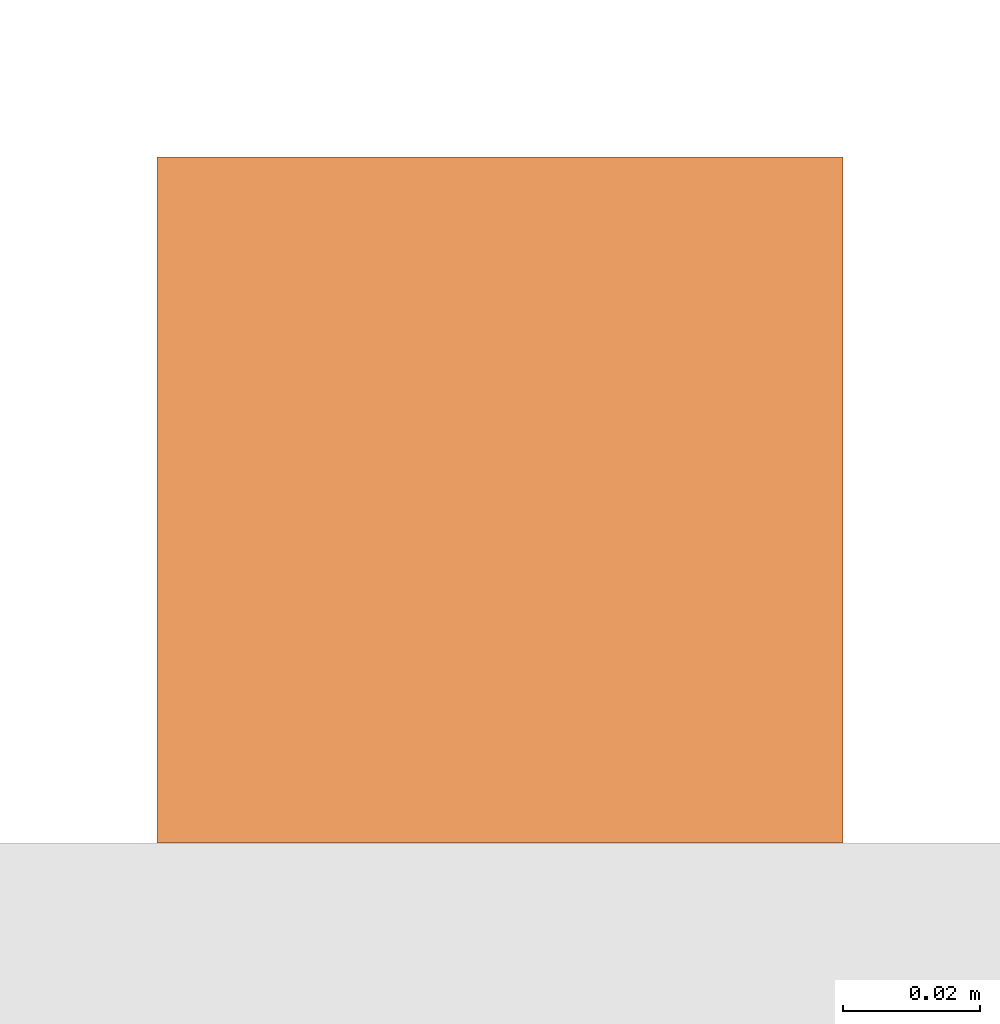
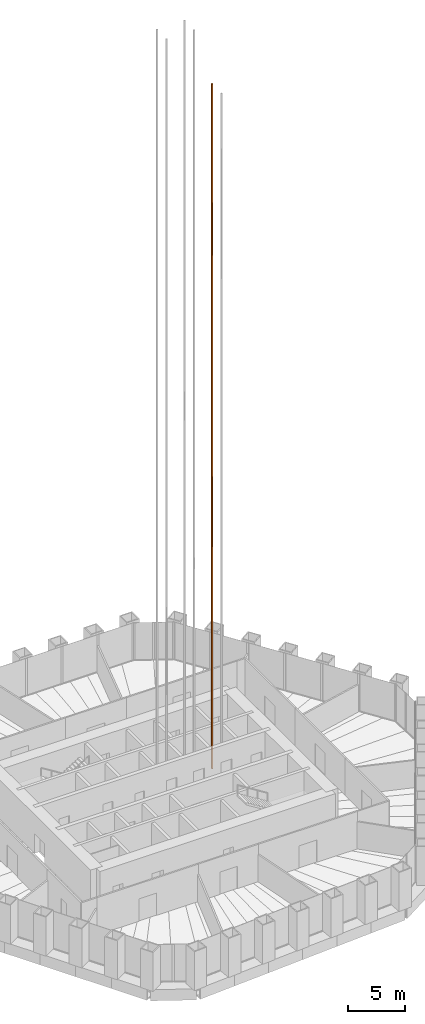
# One storey, part 20 of 20: 1 proxy.
"""IFC4 building model written with IfcOpenShell, lengths in metres."""

from ifc_helpers import new_model, si_unit, direction, frame, origin, origin_2d, place, context, subcontext, project, spatial, rectangle, extrude, material, type_object, element, save


model = new_model("IFC4")

# Units and contexts
model_context = context("Model", 3, precision=1e-05, world=origin(), true_north=direction((0.0, 1.0)))
body_context = subcontext(model_context, "Body", "Model", "MODEL_VIEW")
ifc_project = project(units=[si_unit("LENGTHUNIT", "METRE"), si_unit("AREAUNIT", "SQUARE_METRE"), si_unit("VOLUMEUNIT", "CUBIC_METRE"), si_unit("PLANEANGLEUNIT", "RADIAN"), si_unit("MASSUNIT", "GRAM", prefix="KILO")], contexts=[model_context])

# Site, building, storey
site_placement = place(None, origin())
site = spatial("IfcSite", under=ifc_project, at=site_placement, CompositionType="ELEMENT")
building_placement = place(site_placement, origin())
building = spatial("IfcBuilding", under=site, at=building_placement, Name="Qingtian Harvest Tower", CompositionType="ELEMENT")
storey_placement = place(building_placement, frame((0.0, 0.0, 180.39990234375)))
storey = spatial("IfcBuildingStorey", under=building, at=storey_placement, Name="L38", CompositionType="ELEMENT", Elevation=180.39990234375)

# Proxy
ifc_material = material(Name="Steel SN490B", Category="steel")
building_element_proxy_type = type_object("IfcBuildingElementProxyType", Name="Lift guide rail LR1", PredefinedType="NOTDEFINED", material=ifc_material)
proxy_placement = place(storey_placement, frame((7.5, 4.375, 0.0), z_axis=(0.0, 0.0, 1.0), x_axis=(1.0, 0.0, 0.0)))
element("IfcBuildingElementProxy", 1, at=proxy_placement, inside=storey, type_object=building_element_proxy_type, Name="Lift PLC3 guide rail 2", PredefinedType="NOTDEFINED", context=body_context, shape_type="SweptSolid", body=[
    extrude(rectangle(XDim=0.10009765625, YDim=0.10009765625, at=origin_2d()), origin(), (0.0, 0.0, 1.0), 73.800048828125),
])

save(model, "model.ifc")
